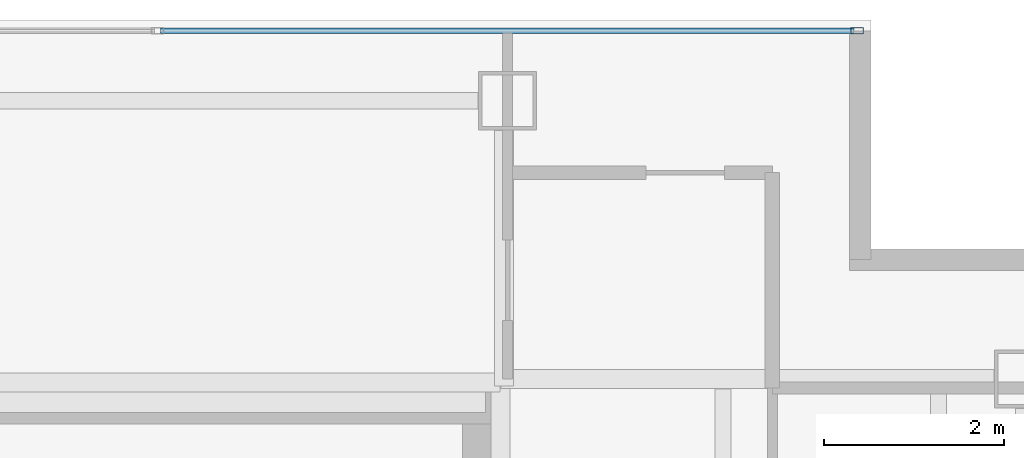
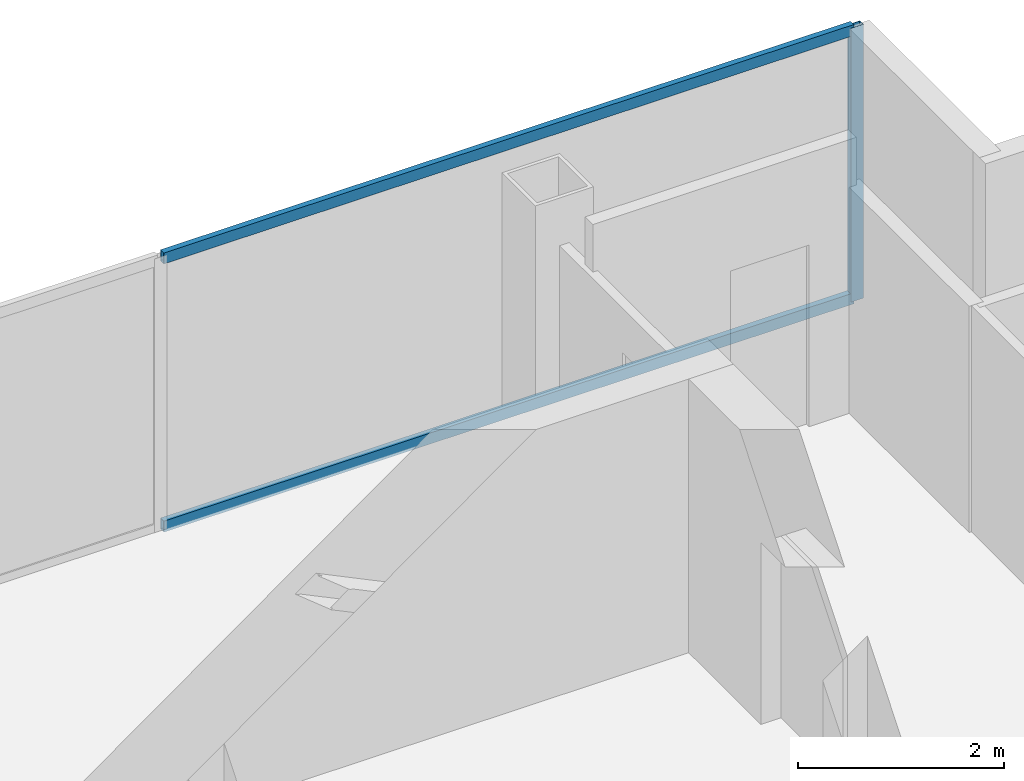
# One storey, part 18 of 23: 3 members, 1 element without a shape of its own.
"""IFC4 building model written with IfcOpenShell, lengths in metres."""

from ifc_helpers import new_model, si_unit, direction, frame, origin, origin_2d, place, context, subcontext, project, spatial, hollow_rectangle, extrude, material, material_profile, profile_set, type_object, element, aggregate, save


model = new_model("IFC4")

# Units and contexts
model_context = context("Model", 3, precision=1e-05, world=origin(), true_north=direction((0.0, 1.0)))
body_context = subcontext(model_context, "Body", "Model", "MODEL_VIEW")
ifc_project = project(units=[si_unit("LENGTHUNIT", "METRE"), si_unit("AREAUNIT", "SQUARE_METRE"), si_unit("VOLUMEUNIT", "CUBIC_METRE"), si_unit("PLANEANGLEUNIT", "RADIAN"), si_unit("MASSUNIT", "GRAM", prefix="KILO")], contexts=[model_context])

# Site, building, storey
site_placement = place(None, origin())
site = spatial("IfcSite", under=ifc_project, at=site_placement, CompositionType="ELEMENT")
building_placement = place(site_placement, origin())
building = spatial("IfcBuilding", under=site, at=building_placement, Name="Cobrela Telecom Tower", CompositionType="ELEMENT")
storey_placement = place(building_placement, frame((0.0, 0.0, 255.14990234375)))
storey = spatial("IfcBuildingStorey", under=building, at=storey_placement, Name="L66", CompositionType="ELEMENT", Elevation=255.14990234375)

# Curtain wall, members
ifc_material = material(Name="Anodized Bronze Aluminium 6063-T6", Category="aluminium")
curtain_wall_type = type_object("IfcCurtainWallType", Name="CW-SYS-OFF-HI", PredefinedType="USERDEFINED", material=ifc_material)
curtain_wall_placement = place(storey_placement, origin())
curtain_wall = element("IfcCurtainWall", 1, at=curtain_wall_placement, inside=storey, type_object=curtain_wall_type, Name="L66 Unitised Bronze Curtain Wall 05", ObjectType="UNITISED CURTAIN WALL", PredefinedType="USERDEFINED")
ifc_material_profile_1 = material_profile(ifc_material, hollow_rectangle(XDim=0.070068359375, YDim=0.139892578125, WallThickness=0.00390625, at=origin_2d()), Name="ALU 70x140x4")
ifc_profile_set_1 = profile_set([ifc_material_profile_1], Name="Anodized Bronze Aluminium 6063-T6")
member_type_1 = type_object("IfcMemberType", Name="CW-SYS-OFF-HI-MUL", PredefinedType="MULLION", material=ifc_profile_set_1)
member_1_placement = place(storey_placement, frame((18.294921875, 39.8798828125, 0.0), z_axis=(0.0, 0.0, 1.0), x_axis=(0.0, 1.0, 0.0)))
member_1 = element("IfcMember", 2, at=member_1_placement, type_object=member_type_1, Name="CW-OFF-HI mullion 3", PredefinedType="MULLION", context=body_context, shape_type="SweptSolid", body=[
    extrude(hollow_rectangle(XDim=0.070068359375, YDim=0.139892578125, WallThickness=0.00390625, at=origin_2d()), origin(), (0.0, 0.0, 1.0), 3.239990234375),
])
ifc_material_profile_2 = material_profile(ifc_material, hollow_rectangle(XDim=0.06494140625, YDim=0.1298828125, WallThickness=0.00390625, at=origin_2d()), Name="ALU 65x130x4")
ifc_profile_set_2 = profile_set([ifc_material_profile_2], Name="Anodized Bronze Aluminium 6063-T6")
member_type_2 = type_object("IfcMemberType", Name="CW-SYS-OFF-HI-TRN", PredefinedType="USERDEFINED", material=ifc_profile_set_2)
member_2_placement = place(storey_placement, frame((10.534912109375, 39.8798828125, 0.03271484375), z_axis=(1.0, 0.0, 0.0), x_axis=(0.0, 1.0, 0.0)))
member_2 = element("IfcMember", 3, at=member_2_placement, type_object=member_type_2, Name="CW-OFF-HI transom 2.1", ObjectType="TRANSOM", PredefinedType="USERDEFINED", context=body_context, shape_type="SweptSolid", body=[
    extrude(hollow_rectangle(XDim=0.06494140625, YDim=0.1298828125, WallThickness=0.00390625, at=origin_2d()), origin(), (0.0, 0.0, 1.0), 7.72509765625),
])
member_3_placement = place(storey_placement, frame((10.534912109375, 39.8798828125, 3.20751953125), z_axis=(1.0, 0.0, 0.0), x_axis=(0.0, 1.0, 0.0)))
member_3 = element("IfcMember", 4, at=member_3_placement, type_object=member_type_2, Name="CW-OFF-HI transom 2.2", ObjectType="TRANSOM", PredefinedType="USERDEFINED", context=body_context, shape_type="SweptSolid", body=[
    extrude(hollow_rectangle(XDim=0.06494140625, YDim=0.1298828125, WallThickness=0.00390625, at=origin_2d()), origin(), (0.0, 0.0, 1.0), 7.72509765625),
])
aggregate(curtain_wall, [member_1, member_2, member_3])

save(model, "model.ifc")
